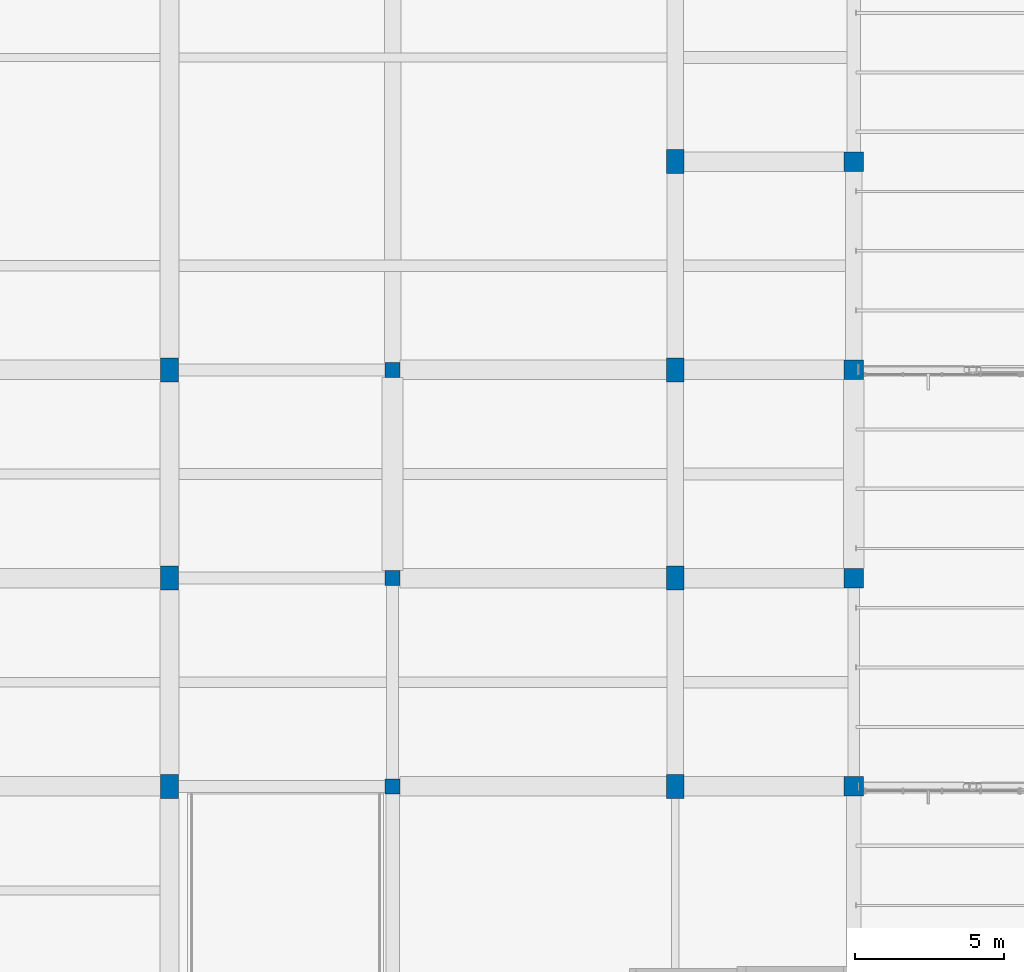
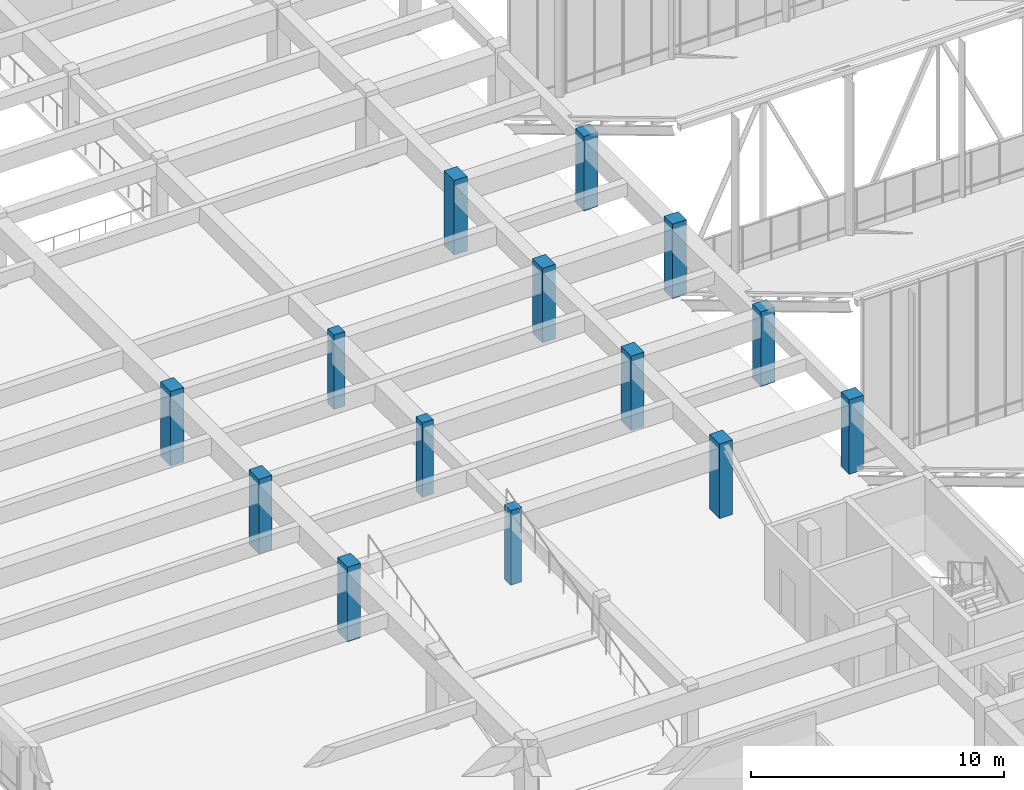
# One storey, part 6 of 155: 14 columns.
"""IFC4 building model written with IfcOpenShell, lengths in metres."""

from ifc_helpers import new_model, si_unit, direction, frame, origin, origin_2d, place, context, subcontext, project, spatial, rectangle, extrude, material, material_profile, profile_set, type_object, element, save


model = new_model("IFC4")

# Units and contexts
model_context = context("Model", 3, precision=1e-05, world=origin(), true_north=direction((0.0, 1.0)))
body_context = subcontext(model_context, "Body", "Model", "MODEL_VIEW")
ifc_project = project(units=[si_unit("LENGTHUNIT", "METRE"), si_unit("AREAUNIT", "SQUARE_METRE"), si_unit("VOLUMEUNIT", "CUBIC_METRE"), si_unit("PLANEANGLEUNIT", "RADIAN"), si_unit("MASSUNIT", "GRAM", prefix="KILO")], contexts=[model_context])

# Site, building, storey
site_placement = place(None, origin())
site = spatial("IfcSite", under=ifc_project, at=site_placement, CompositionType="ELEMENT")
building_placement = place(site_placement, origin())
building = spatial("IfcBuilding", under=site, at=building_placement, Name="Larkveld Mobility Hub", CompositionType="ELEMENT")
storey_placement = place(building_placement, frame((0.0, 0.0, 8.39990234375)))
storey = spatial("IfcBuildingStorey", under=building, at=storey_placement, Name="L02", CompositionType="ELEMENT", Elevation=8.39990234375)

# Columns
ifc_material_1 = material(Name="Precast concrete C50/60", Category="concrete")
ifc_material_profile_1 = material_profile(ifc_material_1, rectangle(XDim=0.60009765625, YDim=0.800048828125, at=origin_2d()), Name="RC COL 600x800")
ifc_profile_set_1 = profile_set([ifc_material_profile_1], Name="Precast concrete C50/60")
column_type_1 = type_object("IfcColumnType", Name="CL-PC6080", PredefinedType="COLUMN", material=ifc_profile_set_1)
for number, where, z_axis, x_axis, name in (
    (1, (129.0, 70.0, 0.0), (0.0, 0.0, 1.0), (1.0, 0.0, 0.0), "Column EV-X129-Y70 (L02)"),
    (2, (129.0, 77.0, 0.0), (0.0, 0.0, 1.0), (1.0, 0.0, 0.0), "Column EV-X129-Y77 (L02)"),
    (3, (129.0, 84.0, 0.0), (0.0, 0.0, 1.0), (1.0, 0.0, 0.0), "Column EV-X129-Y84 (L02)"),
    (4, (146.0, 70.0, 0.0), (0.0, 0.0, 1.0), (1.0, 0.0, 0.0), "Column EV-X146-Y70 (L02)"),
    (5, (146.0, 77.0, 0.0), (0.0, 0.0, 1.0), (1.0, 0.0, 0.0), "Column EV-X146-Y77 (L02)"),
    (6, (146.0, 84.0, 0.0), (0.0, 0.0, 1.0), (1.0, 0.0, 0.0), "Column EV-X146-Y84 (L02)"),
    (7, (146.0, 91.0, 0.0), (0.0, 0.0, 1.0), (1.0, 0.0, 0.0), "Column EV-X146-Y91 (L02)"),
):
    element("IfcColumn", number, at=place(storey_placement, frame(where, z_axis=z_axis, x_axis=x_axis)), inside=storey, type_object=column_type_1, Name=name, PredefinedType="COLUMN", context=body_context, shape_type="SweptSolid", body=[
        extrude(rectangle(XDim=0.60009765625, YDim=0.800048828125, at=origin_2d()), origin(), (0.0, 0.0, 1.0), 3.60009765625),
    ])
ifc_material_2 = material(Name="Concrete C40/50", Category="concrete")
ifc_material_profile_2 = material_profile(ifc_material_2, rectangle(XDim=0.5, YDim=0.5, at=origin_2d()), Name="RC COL 500x500")
ifc_profile_set_2 = profile_set([ifc_material_profile_2], Name="Concrete C40/50")
column_type_2 = type_object("IfcColumnType", Name="CL-RC500", PredefinedType="COLUMN", material=ifc_profile_set_2)
for number, where, z_axis, x_axis, name in (
    (8, (136.5, 70.0, 0.0), (0.0, 0.0, 1.0), (1.0, 0.0, 0.0), "Column EVRMP-X1365-Y70 (L02)"),
    (9, (136.5, 77.0, 0.0), (0.0, 0.0, 1.0), (1.0, 0.0, 0.0), "Column EVRMP-X1365-Y77 (L02)"),
    (10, (136.5, 84.0, 0.0), (0.0, 0.0, 1.0), (1.0, 0.0, 0.0), "Column EVRMP-X1365-Y84 (L02)"),
):
    element("IfcColumn", number, at=place(storey_placement, frame(where, z_axis=z_axis, x_axis=x_axis)), inside=storey, type_object=column_type_2, Name=name, PredefinedType="COLUMN", context=body_context, shape_type="SweptSolid", body=[
        extrude(rectangle(XDim=0.5, YDim=0.5, at=origin_2d()), origin(), (0.0, 0.0, 1.0), 3.60009765625),
    ])
ifc_material_profile_3 = material_profile(ifc_material_2, rectangle(XDim=0.64990234375, YDim=0.64990234375, at=origin_2d()), Name="RC COL 650x650")
ifc_profile_set_3 = profile_set([ifc_material_profile_3], Name="Concrete C40/50")
column_type_3 = type_object("IfcColumnType", Name="CL-RC650", PredefinedType="COLUMN", material=ifc_profile_set_3)
for number, where, z_axis, x_axis, name in (
    (11, (152.0, 70.0, 0.0), (0.0, 0.0, 1.0), (1.0, 0.0, 0.0), "Column EV-X152-Y70 (L02)"),
    (12, (152.0, 77.0, 0.0), (0.0, 0.0, 1.0), (1.0, 0.0, 0.0), "Column EV-X152-Y77 (L02)"),
    (13, (152.0, 84.0, 0.0), (0.0, 0.0, 1.0), (1.0, 0.0, 0.0), "Column EV-X152-Y84 (L02)"),
    (14, (152.0, 91.0, 0.0), (0.0, 0.0, 1.0), (1.0, 0.0, 0.0), "Column EV-X152-Y91 (L02)"),
):
    element("IfcColumn", number, at=place(storey_placement, frame(where, z_axis=z_axis, x_axis=x_axis)), inside=storey, type_object=column_type_3, Name=name, PredefinedType="COLUMN", context=body_context, shape_type="SweptSolid", body=[
        extrude(rectangle(XDim=0.64990234375, YDim=0.64990234375, at=origin_2d()), origin(), (0.0, 0.0, 1.0), 3.60009765625),
    ])

save(model, "model.ifc")
